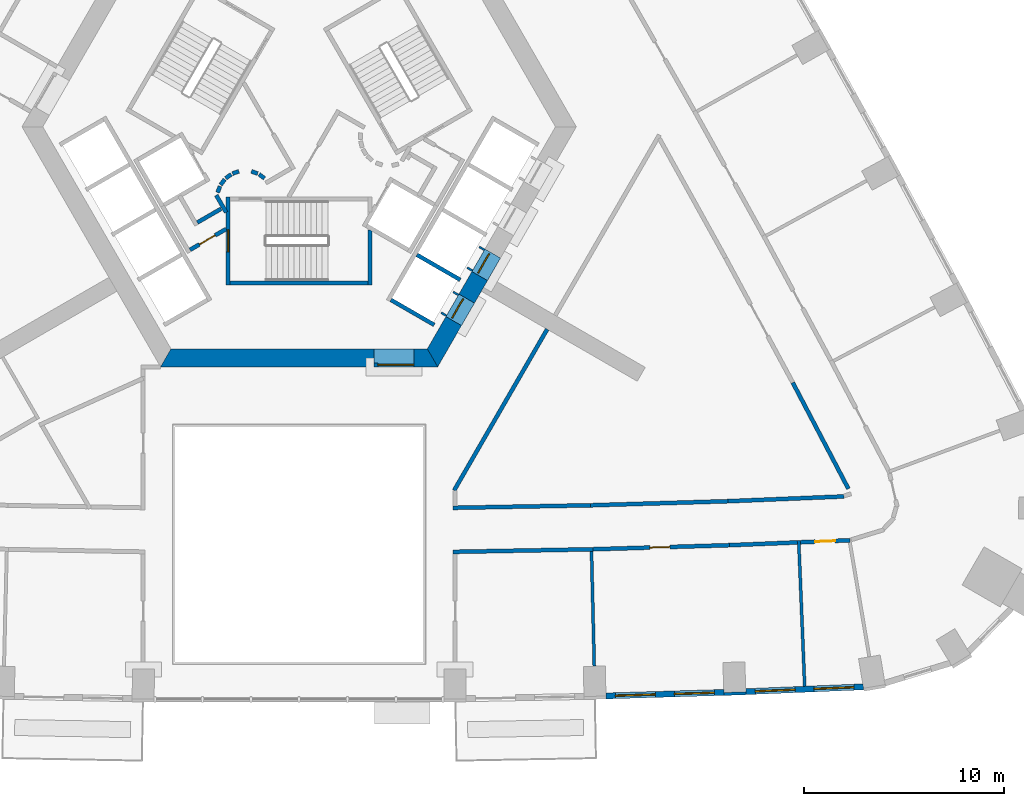
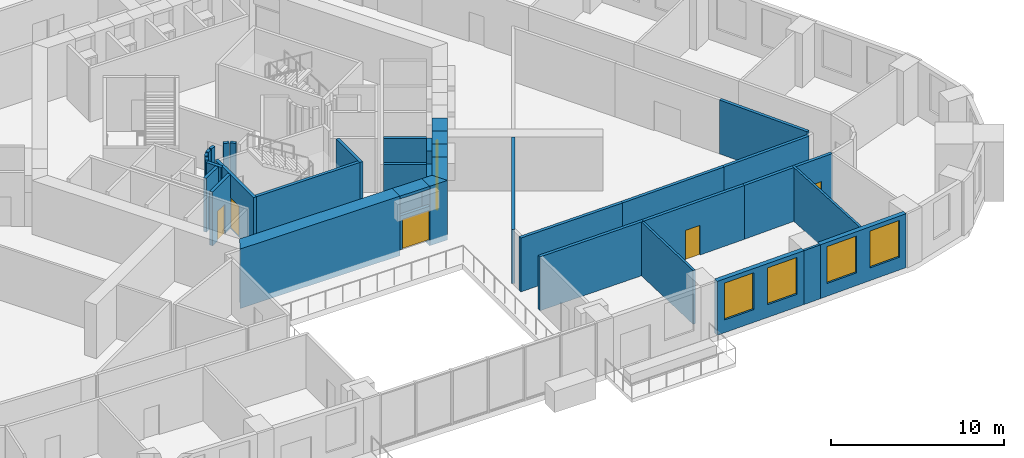
# One storey, part 6 of 13: 38 walls, 7 doors, 4 windows, 11 openings.
"""IFC4 building model written with IfcOpenShell, lengths in metres."""

from ifc_helpers import new_model, si_unit, direction, frame, frame_2d, origin, place, context, subcontext, project, spatial, polyline, rectangle, outline, extrude, material, layer, layer_set, type_object, element, fill, save


model = new_model("IFC4")

# Units and contexts
model_context = context("Model", 3, precision=1e-05, world=origin(), true_north=direction((0.0, 1.0)))
body_context = subcontext(model_context, "Body", "Model", "MODEL_VIEW")
ifc_project = project(units=[si_unit("LENGTHUNIT", "METRE"), si_unit("AREAUNIT", "SQUARE_METRE"), si_unit("VOLUMEUNIT", "CUBIC_METRE"), si_unit("PLANEANGLEUNIT", "RADIAN"), si_unit("MASSUNIT", "GRAM", prefix="KILO")], contexts=[model_context])

# Site, building, storey
site_placement = place(None, origin())
site = spatial("IfcSite", under=ifc_project, at=site_placement, CompositionType="ELEMENT")
building_placement = place(site_placement, origin())
building = spatial("IfcBuilding", under=site, at=building_placement, Name="Entoto Arch Interchange Tower", CompositionType="ELEMENT")
storey_placement = place(building_placement, frame((0.0, 0.0, 90.800048828125)))
storey = spatial("IfcBuildingStorey", under=building, at=storey_placement, Name="L19", CompositionType="ELEMENT", Elevation=90.800048828125)

# Wall, opening, door
ifc_material_1 = material(Name="Reinforced concrete C40/50", Category="concrete")
ifc_layer_1 = layer(ifc_material_1, 0.199951171875)
ifc_layer_set_1 = layer_set([ifc_layer_1], Name="Reinforced concrete C40/50")
wall_type_1 = type_object("IfcWallType", Name="CORE GAP INFILL WALL", PredefinedType="PARTITIONING", material=ifc_layer_set_1)
wall_1_placement = place(storey_placement, frame((3.75, -9.39990234375, 0.0), z_axis=(0.0, 0.0, 1.0), x_axis=(1.0, 0.0, 0.0)))
wall_1 = element("IfcWall", 1, at=wall_1_placement, inside=storey, type_object=wall_type_1, Name="wall:L19:gap1", PredefinedType="PARTITIONING", context=body_context, shape_type="SweptSolid", body=[
    extrude(rectangle(XDim=2.0, YDim=0.199951171875, at=frame_2d((1.0, 0.0))), origin(), (0.0, 0.0, 1.0), 2.39990234375),
])
opening_1_placement = place(wall_1_placement, frame((0.18994140625, 0.0, 0.0)))
opening_1 = element("IfcOpeningElement", 2, at=opening_1_placement, cuts=wall_1, Name="Opening L19-D91", PredefinedType="OPENING", context=body_context, shape_type="SweptSolid", body=[
    extrude(rectangle(XDim=1.800048828125, YDim=2.10009765625, at=frame_2d((0.89990234375, 1.050048828125))), frame((0.0, 0.10986328125, 0.0), z_axis=(0.0, -1.0, 0.0), x_axis=(1.0, 0.0, 0.0)), (0.0, 0.0, 1.0), 0.219970703125),
])
ifc_material_2 = material(Name="Fire-rated Steel S235 door and frame", Category="steel")
door_type_1 = type_object("IfcDoorType", Name="DOOR FD-18 1800x2100", OperationType="DOUBLE_DOOR_SINGLE_SWING", PredefinedType="DOOR", material=ifc_material_2)
door_1_placement = place(opening_1_placement, origin())
door_1 = element("IfcDoor", 3, at=door_1_placement, inside=storey, type_object=door_type_1, Name="door:L19:gap1", OperationType="DOUBLE_DOOR_SINGLE_SWING", OverallHeight=2.10009765625, OverallWidth=1.800048828125, PredefinedType="DOOR", context=body_context, shape_type="SweptSolid", body=[
    extrude(rectangle(XDim=1.800048828125, YDim=2.10009765625, at=frame_2d((0.89990234375, 1.050048828125))), frame((0.0, 0.02490234375, 0.0), z_axis=(0.0, -1.0, 0.0), x_axis=(1.0, 0.0, 0.0)), (0.0, 0.0, 1.0), 0.050048828125),
])
fill(opening_1, door_1)

# Walls
ifc_material_3 = material(Name="Concrete C60/75", Category="concrete")
ifc_layer_2 = layer(ifc_material_3, 0.89990234375)
ifc_layer_set_2 = layer_set([ifc_layer_2], Name="Concrete C60/75")
wall_type_2 = type_object("IfcWallType", Name="Core wall 900 C60/75", PredefinedType="SHEAR", material=ifc_layer_set_2)
wall_2_placement = place(storey_placement, frame((0.0, 0.0, -0.400146484375)))
element("IfcWall", 4, at=wall_2_placement, inside=storey, type_object=wall_type_2, Name="Core wall S L19", PredefinedType="SHEAR", context=body_context, shape_type="SweptSolid", body=[
    extrude(outline(polyline([(3.75, -9.5), (3.75, -8.60009765625), (-6.408935546875, -8.60009765625), (-6.927978515625, -9.5), (3.75, -9.5)])), origin(), (0.0, 0.0, 1.0), 4.2001953125),
])
wall_3_placement = place(storey_placement, frame((0.0, 0.0, -0.400146484375)))
element("IfcWall", 5, at=wall_3_placement, inside=storey, type_object=wall_type_2, Name="Core wall S L19", PredefinedType="SHEAR", context=body_context, shape_type="SweptSolid", body=[
    extrude(outline(polyline([(5.75, -8.60009765625), (5.75, -9.5), (6.927978515625, -9.5), (6.408935546875, -8.60009765625), (5.75, -8.60009765625)])), origin(), (0.0, 0.0, 1.0), 4.2001953125),
])
wall_4_placement = place(storey_placement, frame((0.0, 0.0, 3.599853515625)))
element("IfcWall", 6, at=wall_4_placement, inside=storey, type_object=wall_type_2, Name="Core wall lintel S L19", PredefinedType="SHEAR", context=body_context, shape_type="SweptSolid", body=[
    extrude(outline(polyline([(5.75, -9.5), (5.75, -8.60009765625), (3.75, -8.60009765625), (3.75, -9.5), (5.75, -9.5)])), origin(), (0.0, 0.0, 1.0), 0.2001953125),
])
wall_5_placement = place(storey_placement, frame((0.0, 0.0, -0.400146484375)))
element("IfcWall", 7, at=wall_5_placement, inside=storey, type_object=wall_type_2, Name="Core wall SE L19", PredefinedType="SHEAR", context=body_context, shape_type="SweptSolid", body=[
    extrude(outline(polyline([(8.116943359375, -7.43994140625), (7.337890625, -6.989990234375), (6.408935546875, -8.60009765625), (6.927978515625, -9.5), (8.116943359375, -7.43994140625)])), origin(), (0.0, 0.0, 1.0), 4.2001953125),
])
wall_6_placement = place(storey_placement, frame((0.0, 0.0, -0.400146484375)))
element("IfcWall", 8, at=wall_6_placement, inside=storey, type_object=wall_type_2, Name="Core wall SE L19", PredefinedType="SHEAR", context=body_context, shape_type="SweptSolid", body=[
    extrude(outline(polyline([(9.4169921875, -5.18896484375), (8.637939453125, -4.739013671875), (7.988037109375, -5.864013671875), (8.76708984375, -6.31396484375), (9.4169921875, -5.18896484375)])), origin(), (0.0, 0.0, 1.0), 4.2001953125),
])
wall_7_placement = place(storey_placement, frame((0.0, 0.0, 3.599853515625)))
element("IfcWall", 9, at=wall_7_placement, inside=storey, type_object=wall_type_2, Name="Core wall lintel SE L19", PredefinedType="SHEAR", context=body_context, shape_type="SweptSolid", body=[
    extrude(outline(polyline([(8.76708984375, -6.31396484375), (7.988037109375, -5.864013671875), (7.337890625, -6.989990234375), (8.116943359375, -7.43994140625), (8.76708984375, -6.31396484375)])), origin(), (0.0, 0.0, 1.0), 0.2001953125),
])
wall_8_placement = place(storey_placement, frame((0.0, 0.0, 3.599853515625)))
element("IfcWall", 10, at=wall_8_placement, inside=storey, type_object=wall_type_2, Name="Core wall lintel SE L19", PredefinedType="SHEAR", context=body_context, shape_type="SweptSolid", body=[
    extrude(outline(polyline([(10.06689453125, -4.06298828125), (9.2880859375, -3.613037109375), (8.637939453125, -4.739013671875), (9.4169921875, -5.18896484375), (10.06689453125, -4.06298828125)])), origin(), (0.0, 0.0, 1.0), 0.2001953125),
])

# Wall, opening, door
ifc_material_4 = material(Name="Concrete C40/50", Category="concrete")
ifc_layer_3 = layer(ifc_material_4, 1.199951171875)
ifc_layer_set_3 = layer_set([ifc_layer_3], Name="Concrete C40/50")
wall_type_3 = type_object("IfcWallType", Name="LIFT LANDING INFILL WALL", PredefinedType="STANDARD", material=ifc_layer_set_3)
wall_9_placement = place(storey_placement, frame((7.597900390625, -7.139892578125, 0.0), z_axis=(0.0, 0.0, 1.0), x_axis=(0.500362116554, 0.865816234728, 0.0)))
wall_9 = element("IfcWall", 11, at=wall_9_placement, inside=storey, type_object=wall_type_3, Name="Lift landing infill wall LR5 L19", PredefinedType="STANDARD", context=body_context, shape_type="SweptSolid", body=[
    extrude(rectangle(XDim=1.29931640625, YDim=1.199951171875, at=frame_2d((0.649658203125, 0.0))), origin(), (0.0, 0.0, 1.0), 2.39990234375),
])
opening_2_placement = place(wall_9_placement, frame((0.10009765625, 0.0, 0.0)))
opening_2 = element("IfcOpeningElement", 12, at=opening_2_placement, cuts=wall_9, Name="Opening LD-LR5-L19", PredefinedType="OPENING", context=body_context, shape_type="SweptSolid", body=[
    extrude(rectangle(XDim=1.10009765625, YDim=2.300048828125, at=frame_2d((0.550048828125, 1.14990234375))), frame((0.0, 0.60986328125, 0.0), z_axis=(0.0, -1.0, 0.0), x_axis=(1.0, 0.0, 0.0)), (0.0, 0.0, 1.0), 1.219970703125),
])
ifc_material_5 = material(Name="Stainless steel 1.4301 panels", Category="steel")
door_type_2 = type_object("IfcDoorType", Name="LIFT LANDING DOOR LD2 1100x2300", OperationType="SLIDING_TO_LEFT", PredefinedType="DOOR", material=ifc_material_5)
door_2_placement = place(opening_2_placement, origin())
door_2 = element("IfcDoor", 13, at=door_2_placement, inside=storey, type_object=door_type_2, Name="Lift landing door LR5 L19", OperationType="SLIDING_TO_LEFT", OverallHeight=2.300048828125, OverallWidth=1.10009765625, PredefinedType="DOOR", context=body_context, shape_type="SweptSolid", body=[
    extrude(rectangle(XDim=1.10009765625, YDim=2.300048828125, at=frame_2d((0.550048828125, 1.14990234375))), frame((0.0, 0.02490234375, 0.0), z_axis=(0.0, -1.0, 0.0), x_axis=(1.0, 0.0, 0.0)), (0.0, 0.0, 1.0), 0.050048828125),
])
fill(opening_2, door_2)

wall_10_placement = place(storey_placement, frame((8.89794921875, -4.888916015625, 0.0), z_axis=(0.0, 0.0, 1.0), x_axis=(0.500036693733, 0.866004217611, 0.0)))
wall_10 = element("IfcWall", 14, at=wall_10_placement, inside=storey, type_object=wall_type_3, Name="Lift landing infill wall LR6 L19", PredefinedType="STANDARD", context=body_context, shape_type="SweptSolid", body=[
    extrude(rectangle(XDim=1.30029296875, YDim=1.199951171875, at=frame_2d((0.650146484375, 0.0))), origin(), (0.0, 0.0, 1.0), 2.39990234375),
])
opening_3_placement = place(wall_10_placement, frame((0.10009765625, 0.0, 0.0)))
opening_3 = element("IfcOpeningElement", 15, at=opening_3_placement, cuts=wall_10, Name="Opening LD-LR6-L19", PredefinedType="OPENING", context=body_context, shape_type="SweptSolid", body=[
    extrude(rectangle(XDim=1.10009765625, YDim=2.300048828125, at=frame_2d((0.550048828125, 1.14990234375))), frame((0.0, 0.60986328125, 0.0), z_axis=(0.0, -1.0, 0.0), x_axis=(1.0, 0.0, 0.0)), (0.0, 0.0, 1.0), 1.219970703125),
])
door_3_placement = place(opening_3_placement, origin())
door_3 = element("IfcDoor", 16, at=door_3_placement, inside=storey, type_object=door_type_2, Name="Lift landing door LR6 L19", OperationType="SLIDING_TO_LEFT", OverallHeight=2.300048828125, OverallWidth=1.10009765625, PredefinedType="DOOR", context=body_context, shape_type="SweptSolid", body=[
    extrude(rectangle(XDim=1.10009765625, YDim=2.300048828125, at=frame_2d((0.550048828125, 1.14990234375))), frame((0.0, 0.02490234375, 0.0), z_axis=(0.0, -1.0, 0.0), x_axis=(1.0, 0.0, 0.0)), (0.0, 0.0, 1.0), 0.050048828125),
])
fill(opening_3, door_3)

# Walls
ifc_layer_4 = layer(ifc_material_4, 0.199951171875)
ifc_layer_set_4 = layer_set([ifc_layer_4], Name="Concrete C40/50")
wall_type_4 = type_object("IfcWallType", Name="LIFT SHAFT WALL 200", PredefinedType="STANDARD", material=ifc_layer_set_4)
for number, where, z_axis, x_axis, name in (
    (17, (4.587890625, -6.153076171875, 0.0), (0.0, 0.0, 1.0), (0.866022959057, -0.500004234368, 0.0), "Shaft wall SE3 cross 1"),
    (18, (5.887939453125, -3.902099609375, 0.0), (0.0, 0.0, 1.0), (0.866022959057, -0.500004234368, 0.0), "Shaft wall SE3 cross 2"),
):
    element("IfcWall", number, at=place(storey_placement, frame(where, z_axis=z_axis, x_axis=x_axis)), inside=storey, type_object=wall_type_4, Name=name, PredefinedType="STANDARD", context=body_context, shape_type="SweptSolid", body=[
        extrude(rectangle(XDim=2.5, YDim=0.199951171875, at=frame_2d((1.25, 0.0))), origin(), (0.0, 0.0, 1.0), 3.800048828125),
    ])
ifc_material_6 = material(Name="Gypsum board partition on steel studs", Category="steel")
ifc_layer_5 = layer(ifc_material_6, 0.14990234375)
ifc_layer_set_5 = layer_set([ifc_layer_5], Name="Gypsum board partition on steel studs")
wall_type_5 = type_object("IfcWallType", Name="PARTITION 150", PredefinedType="PARTITIONING", material=ifc_layer_set_5)
wall_11_placement = place(storey_placement, frame((14.616943359375, -18.72412109375, 0.0), z_axis=(0.0, 0.0, 1.0), x_axis=(0.02407553942, -0.999710142192, 0.0)))
element("IfcWall", 19, at=wall_11_placement, inside=storey, type_object=wall_type_5, Name="wall:L19:p111", PredefinedType="PARTITIONING", context=body_context, shape_type="SweptSolid", body=[
    extrude(rectangle(XDim=5.7294921875, YDim=0.14990234375, at=frame_2d((2.86474609375, 0.0))), origin(), (0.0, 0.0, 1.0), 3.800048828125),
])
wall_12_placement = place(storey_placement, frame((24.97509765625, -18.177001953125, 0.0), z_axis=(0.0, 0.0, 1.0), x_axis=(0.040934999913, -0.999161811611, 0.0)))
element("IfcWall", 20, at=wall_12_placement, inside=storey, type_object=wall_type_5, Name="wall:L19:p112", PredefinedType="PARTITIONING", context=body_context, shape_type="SweptSolid", body=[
    extrude(rectangle(XDim=7.300048828125, YDim=0.14990234375, at=frame_2d((3.64990234375, 0.0))), origin(), (0.0, 0.0, 1.0), 3.800048828125),
])
ifc_layer_6 = layer(ifc_material_6, 0.199951171875)
ifc_layer_set_6 = layer_set([ifc_layer_6], Name="Gypsum board partition on steel studs")
wall_type_6 = type_object("IfcWallType", Name="PARTITION 200", PredefinedType="PARTITIONING", material=ifc_layer_set_6)
wall_13_placement = place(storey_placement, frame((7.699951171875, -16.551025390625, 0.0), z_axis=(0.0, 0.0, 1.0), x_axis=(0.999831478914, 0.018357934851, 0.0)))
element("IfcWall", 21, at=wall_13_placement, inside=storey, type_object=wall_type_6, Name="wall:L19:p012", PredefinedType="PARTITIONING", context=body_context, shape_type="SweptSolid", body=[
    extrude(rectangle(XDim=6.8623046875, YDim=0.199951171875, at=frame_2d((3.43115234375, 0.0))), origin(), (0.0, 0.0, 1.0), 3.800048828125),
])
wall_14_placement = place(storey_placement, frame((14.56103515625, -16.425048828125, 0.0), z_axis=(0.0, 0.0, 1.0), x_axis=(0.99955668677, 0.029772973188, 0.0)))
element("IfcWall", 22, at=wall_14_placement, inside=storey, type_object=wall_type_6, Name="wall:L19:p013", PredefinedType="PARTITIONING", context=body_context, shape_type="SweptSolid", body=[
    extrude(rectangle(XDim=6.88818359375, YDim=0.199951171875, at=frame_2d((3.444091796875, 0.0))), origin(), (0.0, 0.0, 1.0), 3.800048828125),
])
wall_15_placement = place(storey_placement, frame((21.446044921875, -16.219970703125, 0.0), z_axis=(0.0, 0.0, 1.0), x_axis=(0.999157128819, 0.041049140426, 0.0)))
element("IfcWall", 23, at=wall_15_placement, inside=storey, type_object=wall_type_6, Name="wall:L19:p014", PredefinedType="PARTITIONING", context=body_context, shape_type="SweptSolid", body=[
    extrude(rectangle(XDim=5.798828125, YDim=0.199951171875, at=frame_2d((2.8994140625, 0.0))), origin(), (0.0, 0.0, 1.0), 3.800048828125),
])
wall_16_placement = place(storey_placement, frame((27.4609375, -15.60009765625, 0.0), z_axis=(0.0, 0.0, 1.0), x_axis=(-0.464203280494, 0.885728691179, 0.0)))
element("IfcWall", 24, at=wall_16_placement, inside=storey, type_object=wall_type_6, Name="wall:L19:p016", PredefinedType="PARTITIONING", context=body_context, shape_type="SweptSolid", body=[
    extrude(rectangle(XDim=5.9951171875, YDim=0.199951171875, at=frame_2d((2.99755859375, 0.0))), origin(), (0.0, 0.0, 1.0), 3.800048828125),
])
wall_17_placement = place(storey_placement, frame((14.68896484375, -18.623046875, 0.0), z_axis=(0.0, 0.0, 1.0), x_axis=(-0.99982995049, -0.01844098976, 0.0)))
element("IfcWall", 25, at=wall_17_placement, inside=storey, type_object=wall_type_6, Name="wall:L19:p031", PredefinedType="PARTITIONING", context=body_context, shape_type="SweptSolid", body=[
    extrude(rectangle(XDim=6.990234375, YDim=0.199951171875, at=frame_2d((3.4951171875, 0.0))), origin(), (0.0, 0.0, 1.0), 3.800048828125),
])
wall_18_placement = place(storey_placement, frame((24.904052734375, -18.280029296875, 0.0), z_axis=(0.0, 0.0, 1.0), x_axis=(-0.999156550882, -0.041063205305, 0.0)))
element("IfcWall", 26, at=wall_18_placement, inside=storey, type_object=wall_type_6, Name="wall:L19:p032", PredefinedType="PARTITIONING", context=body_context, shape_type="SweptSolid", body=[
    extrude(rectangle(XDim=3.383056640625, YDim=0.199951171875, at=frame_2d((1.69140625, 0.0))), origin(), (0.0, 0.0, 1.0), 3.800048828125),
])

# Wall, opening, door
wall_19_placement = place(storey_placement, frame((21.52392578125, -18.4189453125, 0.0), z_axis=(0.0, 0.0, 1.0), x_axis=(-0.999558696746, -0.029705416334, 0.0)))
wall_19 = element("IfcWall", 27, at=wall_19_placement, inside=storey, type_object=wall_type_6, Name="wall:L19:p033", PredefinedType="PARTITIONING", context=body_context, shape_type="SweptSolid", body=[
    extrude(rectangle(XDim=6.837890625, YDim=0.199951171875, at=frame_2d((3.4189453125, 0.0))), origin(), (0.0, 0.0, 1.0), 3.800048828125),
])
opening_4_placement = place(wall_19_placement, frame((2.993896484375, 0.0, 0.0)))
opening_4 = element("IfcOpeningElement", 28, at=opening_4_placement, cuts=wall_19, Name="Opening L19-D02", PredefinedType="OPENING", context=body_context, shape_type="SweptSolid", body=[
    extrude(rectangle(XDim=1.0, YDim=2.10009765625, at=frame_2d((0.5, 1.050048828125))), frame((0.0, 0.10986328125, 0.0), z_axis=(0.0, -1.0, 0.0), x_axis=(1.0, 0.0, 0.0)), (0.0, 0.0, 1.0), 0.219970703125),
])
ifc_material_7 = material(Name="Timber door leaf in Steel S235 frame", Category="steel")
door_type_3 = type_object("IfcDoorType", Name="DOOR DS-10 1000x2100", OperationType="SINGLE_SWING_LEFT", PredefinedType="DOOR", material=ifc_material_7)
door_4_placement = place(opening_4_placement, origin())
door_4 = element("IfcDoor", 29, at=door_4_placement, inside=storey, type_object=door_type_3, Name="door:L19:02", OperationType="SINGLE_SWING_LEFT", OverallHeight=2.10009765625, OverallWidth=1.0, PredefinedType="DOOR", context=body_context, shape_type="SweptSolid", body=[
    extrude(rectangle(XDim=1.0, YDim=2.10009765625, at=frame_2d((0.5, 1.050048828125))), frame((0.0, 0.02490234375, 0.0), z_axis=(0.0, -1.0, 0.0), x_axis=(1.0, 0.0, 0.0)), (0.0, 0.0, 1.0), 0.050048828125),
])
fill(opening_4, door_4)

wall_20_placement = place(storey_placement, frame((27.5380859375, -18.172119140625, 0.0), z_axis=(0.0, 0.0, 1.0), x_axis=(-0.999161261417, -0.040948427126, 0.0)))
wall_20 = element("IfcWall", 30, at=wall_20_placement, inside=storey, type_object=wall_type_6, Name="wall:L19:p034", PredefinedType="PARTITIONING", context=body_context, shape_type="SweptSolid", body=[
    extrude(rectangle(XDim=2.486328125, YDim=0.199951171875, at=frame_2d((1.2431640625, 0.0))), origin(), (0.0, 0.0, 1.0), 3.800048828125),
])
opening_5_placement = place(wall_20_placement, frame((0.742919921875, 0.0, 0.0)))
opening_5 = element("IfcOpeningElement", 31, at=opening_5_placement, cuts=wall_20, Name="Opening L19-D03", PredefinedType="OPENING", context=body_context, shape_type="SweptSolid", body=[
    extrude(rectangle(XDim=1.0, YDim=2.10009765625, at=frame_2d((0.5, 1.050048828125))), frame((0.0, 0.10986328125, 0.0), z_axis=(0.0, -1.0, 0.0), x_axis=(1.0, 0.0, 0.0)), (0.0, 0.0, 1.0), 0.219970703125),
])
door_5_placement = place(opening_5_placement, origin())
door_5 = element("IfcDoor", 32, at=door_5_placement, inside=storey, type_object=door_type_3, Name="door:L19:03", OperationType="SINGLE_SWING_LEFT", OverallHeight=2.10009765625, OverallWidth=1.0, PredefinedType="DOOR", context=body_context, shape_type="SweptSolid", body=[
    extrude(rectangle(XDim=1.0, YDim=2.10009765625, at=frame_2d((0.5, 1.050048828125))), frame((0.0, 0.02490234375, 0.0), z_axis=(0.0, -1.0, 0.0), x_axis=(1.0, 0.0, 0.0)), (0.0, 0.0, 1.0), 0.050048828125),
])
fill(opening_5, door_5)

# Wall
wall_21_placement = place(storey_placement, frame((-3.89990234375, -1.59912109375, 0.0), z_axis=(0.0, 0.0, 1.0), x_axis=(-0.865969445389, -0.500096910261, 0.0)))
element("IfcWall", 33, at=wall_21_placement, inside=storey, type_object=wall_type_6, Name="wall:L19:p072", PredefinedType="PARTITIONING", context=body_context, shape_type="SweptSolid", body=[
    extrude(rectangle(XDim=1.373291015625, YDim=0.199951171875, at=frame_2d((0.6865234375, 0.0))), origin(), (0.0, 0.0, 1.0), 3.800048828125),
])

# Wall, opening, door
wall_22_placement = place(storey_placement, frame((-3.64990234375, -2.610107421875, 0.0), z_axis=(0.0, 0.0, 1.0), x_axis=(-0.866072462134, -0.499918483688, 0.0)))
wall_22 = element("IfcWall", 34, at=wall_22_placement, inside=storey, type_object=wall_type_6, Name="wall:L19:p074", PredefinedType="PARTITIONING", context=body_context, shape_type="SweptSolid", body=[
    extrude(rectangle(XDim=2.084228515625, YDim=0.199951171875, at=frame_2d((1.0419921875, 0.0))), origin(), (0.0, 0.0, 1.0), 3.800048828125),
])
opening_6_placement = place(wall_22_placement, frame((0.64208984375, 0.0, 0.0)))
opening_6 = element("IfcOpeningElement", 35, at=opening_6_placement, cuts=wall_22, Name="Opening L19-D35", PredefinedType="OPENING", context=body_context, shape_type="SweptSolid", body=[
    extrude(rectangle(XDim=0.89990234375, YDim=2.10009765625, at=frame_2d((0.449951171875, 1.050048828125))), frame((0.0, 0.10986328125, 0.0), z_axis=(0.0, -1.0, 0.0), x_axis=(1.0, 0.0, 0.0)), (0.0, 0.0, 1.0), 0.219970703125),
])
door_type_4 = type_object("IfcDoorType", Name="DOOR DS-09 900x2100", OperationType="SINGLE_SWING_LEFT", PredefinedType="DOOR", material=ifc_material_7)
door_6_placement = place(opening_6_placement, origin())
door_6 = element("IfcDoor", 36, at=door_6_placement, inside=storey, type_object=door_type_4, Name="door:L19:35", OperationType="SINGLE_SWING_LEFT", OverallHeight=2.10009765625, OverallWidth=0.89990234375, PredefinedType="DOOR", context=body_context, shape_type="SweptSolid", body=[
    extrude(rectangle(XDim=0.89990234375, YDim=2.10009765625, at=frame_2d((0.449951171875, 1.050048828125))), frame((0.0, 0.02490234375, 0.0), z_axis=(0.0, -1.0, 0.0), x_axis=(1.0, 0.0, 0.0)), (0.0, 0.0, 1.0), 0.050048828125),
])
fill(opening_6, door_6)

# Walls
wall_23_placement = place(storey_placement, frame((-4.14501953125, -0.919921875, 0.0), z_axis=(0.0, 0.0, 1.0), x_axis=(0.499743786207, -0.866173278362, 0.0)))
element("IfcWall", 37, at=wall_23_placement, inside=storey, type_object=wall_type_6, Name="wall:L19:p076", PredefinedType="PARTITIONING", context=body_context, shape_type="SweptSolid", body=[
    extrude(rectangle(XDim=0.99072265625, YDim=0.199951171875, at=frame_2d((0.495361328125, 0.0))), origin(), (0.0, 0.0, 1.0), 3.800048828125),
])
wall_24_placement = place(storey_placement, frame((-1.73095703125, -0.076904296875, 0.0), z_axis=(0.0, 0.0, 1.0), x_axis=(-0.804311165252, 0.594208338422, 0.0)))
element("IfcWall", 38, at=wall_24_placement, inside=storey, type_object=wall_type_6, Name="wall:L19:p087", PredefinedType="PARTITIONING", context=body_context, shape_type="SweptSolid", body=[
    extrude(rectangle(XDim=0.338134765625, YDim=0.199951171875, at=frame_2d((0.1689453125, 0.0))), origin(), (0.0, 0.0, 1.0), 3.800048828125),
])
wall_25_placement = place(storey_placement, frame((-2.070068359375, 0.159912109375, 0.0), z_axis=(0.0, 0.0, 1.0), x_axis=(-0.942199461132, 0.335052496547, 0.0)))
element("IfcWall", 39, at=wall_25_placement, inside=storey, type_object=wall_type_6, Name="wall:L19:p088", PredefinedType="PARTITIONING", context=body_context, shape_type="SweptSolid", body=[
    extrude(rectangle(XDim=0.33740234375, YDim=0.199951171875, at=frame_2d((0.168701171875, 0.0))), origin(), (0.0, 0.0, 1.0), 3.800048828125),
])
wall_26_placement = place(storey_placement, frame((-3.011962890625, 0.27294921875, 0.0), z_axis=(0.0, 0.0, 1.0), x_axis=(-0.942280615813, -0.334824194261, 0.0)))
element("IfcWall", 40, at=wall_26_placement, inside=storey, type_object=wall_type_6, Name="wall:L19:p089", PredefinedType="PARTITIONING", context=body_context, shape_type="SweptSolid", body=[
    extrude(rectangle(XDim=0.337646484375, YDim=0.199951171875, at=frame_2d((0.1689453125, 0.0))), origin(), (0.0, 0.0, 1.0), 3.800048828125),
])
wall_27_placement = place(storey_placement, frame((-3.39697265625, 0.1240234375, 0.0), z_axis=(0.0, 0.0, 1.0), x_axis=(-0.804311165252, -0.594208338422, 0.0)))
element("IfcWall", 41, at=wall_27_placement, inside=storey, type_object=wall_type_6, Name="wall:L19:p090", PredefinedType="PARTITIONING", context=body_context, shape_type="SweptSolid", body=[
    extrude(rectangle(XDim=0.338134765625, YDim=0.199951171875, at=frame_2d((0.1689453125, 0.0))), origin(), (0.0, 0.0, 1.0), 3.800048828125),
])
wall_28_placement = place(storey_placement, frame((-3.722900390625, -0.131103515625, 0.0), z_axis=(0.0, 0.0, 1.0), x_axis=(-0.594675113454, -0.803966112121, 0.0)))
element("IfcWall", 42, at=wall_28_placement, inside=storey, type_object=wall_type_6, Name="wall:L19:p091", PredefinedType="PARTITIONING", context=body_context, shape_type="SweptSolid", body=[
    extrude(rectangle(XDim=0.33837890625, YDim=0.199951171875, at=frame_2d((0.169189453125, 0.0))), origin(), (0.0, 0.0, 1.0), 3.800048828125),
])
wall_29_placement = place(storey_placement, frame((-3.9599609375, -0.469970703125, 0.0), z_axis=(0.0, 0.0, 1.0), x_axis=(-0.334824194261, -0.942280615813, 0.0)))
element("IfcWall", 43, at=wall_29_placement, inside=storey, type_object=wall_type_6, Name="wall:L19:p092", PredefinedType="PARTITIONING", context=body_context, shape_type="SweptSolid", body=[
    extrude(rectangle(XDim=0.337646484375, YDim=0.199951171875, at=frame_2d((0.1689453125, 0.0))), origin(), (0.0, 0.0, 1.0), 3.800048828125),
])
wall_30_placement = place(storey_placement, frame((12.40087890625, -7.62109375, 0.0), z_axis=(0.0, 0.0, 1.0), x_axis=(-0.499983724212, -0.866034800411, 0.0)))
element("IfcWall", 44, at=wall_30_placement, inside=storey, type_object=wall_type_6, Name="wall:L19:p102", PredefinedType="PARTITIONING", context=body_context, shape_type="SweptSolid", body=[
    extrude(rectangle(XDim=9.302001953125, YDim=0.199951171875, at=frame_2d((4.65087890625, 0.0))), origin(), (0.0, 0.0, 1.0), 3.800048828125),
])

# Wall, opening, door
ifc_layer_7 = layer(ifc_material_4, 0.199951171875)
ifc_layer_set_7 = layer_set([ifc_layer_7], Name="Concrete C40/50")
wall_type_7 = type_object("IfcWallType", Name="STAIR ENCLOSURE WALL 200", PredefinedType="STANDARD", material=ifc_layer_set_7)
wall_31_placement = place(storey_placement, frame((-3.550048828125, -1.0, 0.0), z_axis=(0.0, 0.0, 1.0), x_axis=(0.0, -1.0, 0.0)))
wall_31 = element("IfcWall", 45, at=wall_31_placement, inside=storey, type_object=wall_type_7, Name="Stair wall ST-S near", PredefinedType="STANDARD", context=body_context, shape_type="SweptSolid", body=[
    extrude(rectangle(XDim=4.39990234375, YDim=0.199951171875, at=frame_2d((2.199951171875, 0.0))), origin(), (0.0, 0.0, 1.0), 3.800048828125),
])
opening_7_placement = place(wall_31_placement, frame((1.64990234375, 0.0, 0.0)))
opening_7 = element("IfcOpeningElement", 46, at=opening_7_placement, cuts=wall_31, Name="Opening SD-ST-S-L19-E", PredefinedType="OPENING", context=body_context, shape_type="SweptSolid", body=[
    extrude(rectangle(XDim=1.10009765625, YDim=2.199951171875, at=frame_2d((0.550048828125, 1.10009765625))), frame((0.0, 0.10986328125, 0.0), z_axis=(0.0, -1.0, 0.0), x_axis=(1.0, 0.0, 0.0)), (0.0, 0.0, 1.0), 0.219970703125),
])
ifc_material_8 = material(Name="Steel S235", Category="steel")
door_type_5 = type_object("IfcDoorType", Name="STAIR DOOR SD1 1100x2200", OperationType="SINGLE_SWING_LEFT", PredefinedType="DOOR", material=ifc_material_8)
door_7_placement = place(opening_7_placement, origin())
door_7 = element("IfcDoor", 47, at=door_7_placement, inside=storey, type_object=door_type_5, Name="Stair door ST-S L19 end", OperationType="SINGLE_SWING_LEFT", OverallHeight=2.199951171875, OverallWidth=1.10009765625, PredefinedType="DOOR", context=body_context, shape_type="SweptSolid", body=[
    extrude(rectangle(XDim=1.10009765625, YDim=2.199951171875, at=frame_2d((0.550048828125, 1.10009765625))), frame((0.0, 0.02490234375, 0.0), z_axis=(0.0, -1.0, 0.0), x_axis=(1.0, 0.0, 0.0)), (0.0, 0.0, 1.0), 0.050048828125),
])
fill(opening_7, door_7)

# Walls
wall_32_placement = place(storey_placement, frame((3.550048828125, -2.6669921875, 0.0), z_axis=(0.0, 0.0, 1.0), x_axis=(0.0, -1.0, 0.0)))
element("IfcWall", 48, at=wall_32_placement, inside=storey, type_object=wall_type_7, Name="Stair wall ST-S far", PredefinedType="STANDARD", context=body_context, shape_type="SweptSolid", body=[
    extrude(rectangle(XDim=2.73291015625, YDim=0.199951171875, at=frame_2d((1.366455078125, 0.0))), origin(), (0.0, 0.0, 1.0), 3.800048828125),
])
wall_33_placement = place(storey_placement, frame((-3.449951171875, -5.300048828125, 0.0), z_axis=(0.0, 0.0, 1.0), x_axis=(1.0, 0.0, 0.0)))
element("IfcWall", 49, at=wall_33_placement, inside=storey, type_object=wall_type_7, Name="Stair wall ST-S back", PredefinedType="STANDARD", context=body_context, shape_type="SweptSolid", body=[
    extrude(rectangle(XDim=6.89990234375, YDim=0.199951171875, at=frame_2d((3.449951171875, 0.0))), origin(), (0.0, 0.0, 1.0), 3.800048828125),
])

# Wall, openings, windows
ifc_material_9 = material(Name="Welded tuff (ignimbrite) cladding, warm buff", Category="masonry")
ifc_layer_8 = layer(ifc_material_9, 0.300048828125)
ifc_layer_set_8 = layer_set([ifc_layer_8], Name="Welded tuff (ignimbrite) cladding, warm buff")
wall_type_8 = type_object("IfcWallType", Name="STONE INFILL WALL 300", PredefinedType="STANDARD", material=ifc_layer_set_8)
wall_34_placement = place(storey_placement, frame((15.340087890625, -25.9560546875, 0.0), z_axis=(0.0, 0.0, 1.0), x_axis=(0.999554487555, 0.029846715213, 0.0)))
wall_34 = element("IfcWall", 50, at=wall_34_placement, inside=storey, type_object=wall_type_8, Name="Facade wall S-06 L19", PredefinedType="STANDARD", context=body_context, shape_type="SweptSolid", body=[
    extrude(rectangle(XDim=5.897705078125, YDim=0.300048828125, at=frame_2d((2.94873046875, 0.0))), origin(), (0.0, 0.0, 1.0), 3.800048828125),
])
opening_8_placement = place(wall_34_placement, frame((0.47412109375, 0.0, 0.89990234375)))
opening_8 = element("IfcOpeningElement", 51, at=opening_8_placement, cuts=wall_34, Name="Opening WO-C", PredefinedType="OPENING", context=body_context, shape_type="SweptSolid", body=[
    extrude(rectangle(XDim=2.0, YDim=2.60009765625, at=frame_2d((1.0, 1.300048828125))), frame((0.0, 0.16015625, 0.0), z_axis=(0.0, -1.0, 0.0), x_axis=(1.0, 0.0, 0.0)), (0.0, 0.0, 1.0), 0.320068359375),
])
opening_9_placement = place(wall_34_placement, frame((3.423095703125, 0.0, 0.89990234375)))
opening_9 = element("IfcOpeningElement", 52, at=opening_9_placement, cuts=wall_34, Name="Opening WO-C", PredefinedType="OPENING", context=body_context, shape_type="SweptSolid", body=[
    extrude(rectangle(XDim=2.0, YDim=2.60009765625, at=frame_2d((1.0, 1.300048828125))), frame((0.0, 0.16015625, 0.0), z_axis=(0.0, -1.0, 0.0), x_axis=(1.0, 0.0, 0.0)), (0.0, 0.0, 1.0), 0.320068359375),
])
ifc_material_10 = material(Name="Clear glass, low-e double glazed", Category="glass")
window_type = type_object("IfcWindowType", Name="WINDOW WO-C 2000x2600", PartitioningType="DOUBLE_PANEL_VERTICAL", PredefinedType="WINDOW", material=ifc_material_10)
window_1_placement = place(opening_8_placement, origin())
window_1 = element("IfcWindow", 53, at=window_1_placement, inside=storey, type_object=window_type, Name="Window WO-C S-06 L19", OverallHeight=2.60009765625, OverallWidth=2.0, PartitioningType="SINGLE_PANEL", PredefinedType="WINDOW", context=body_context, shape_type="SweptSolid", body=[
    extrude(rectangle(XDim=2.0, YDim=2.60009765625, at=frame_2d((1.0, 1.300048828125))), frame((0.0, 0.030029296875, 0.0), z_axis=(0.0, -1.0, 0.0), x_axis=(1.0, 0.0, 0.0)), (0.0, 0.0, 1.0), 0.06005859375),
])
fill(opening_8, window_1)
window_2_placement = place(opening_9_placement, origin())
window_2 = element("IfcWindow", 54, at=window_2_placement, inside=storey, type_object=window_type, Name="Window WO-C S-06 L19", OverallHeight=2.60009765625, OverallWidth=2.0, PartitioningType="SINGLE_PANEL", PredefinedType="WINDOW", context=body_context, shape_type="SweptSolid", body=[
    extrude(rectangle(XDim=2.0, YDim=2.60009765625, at=frame_2d((1.0, 1.300048828125))), frame((0.0, 0.030029296875, 0.0), z_axis=(0.0, -1.0, 0.0), x_axis=(1.0, 0.0, 0.0)), (0.0, 0.0, 1.0), 0.06005859375),
])
fill(opening_9, window_2)

wall_35_placement = place(storey_placement, frame((22.33203125, -25.741943359375, 0.0), z_axis=(0.0, 0.0, 1.0), x_axis=(0.999159360905, 0.040994774244, 0.0)))
wall_35 = element("IfcWall", 55, at=wall_35_placement, inside=storey, type_object=wall_type_8, Name="Facade wall S-07 L19", PredefinedType="STANDARD", context=body_context, shape_type="SweptSolid", body=[
    extrude(rectangle(XDim=5.8779296875, YDim=0.300048828125, at=frame_2d((2.93896484375, 0.0))), origin(), (0.0, 0.0, 1.0), 3.800048828125),
])
opening_10_placement = place(wall_35_placement, frame((0.468994140625, 0.0, 0.89990234375)))
opening_10 = element("IfcOpeningElement", 56, at=opening_10_placement, cuts=wall_35, Name="Opening WO-C", PredefinedType="OPENING", context=body_context, shape_type="SweptSolid", body=[
    extrude(rectangle(XDim=2.0, YDim=2.60009765625, at=frame_2d((1.0, 1.300048828125))), frame((0.0, 0.16015625, 0.0), z_axis=(0.0, -1.0, 0.0), x_axis=(1.0, 0.0, 0.0)), (0.0, 0.0, 1.0), 0.320068359375),
])
opening_11_placement = place(wall_35_placement, frame((3.407958984375, 0.0, 0.89990234375)))
opening_11 = element("IfcOpeningElement", 57, at=opening_11_placement, cuts=wall_35, Name="Opening WO-C", PredefinedType="OPENING", context=body_context, shape_type="SweptSolid", body=[
    extrude(rectangle(XDim=2.0, YDim=2.60009765625, at=frame_2d((1.0, 1.300048828125))), frame((0.0, 0.16015625, 0.0), z_axis=(0.0, -1.0, 0.0), x_axis=(1.0, 0.0, 0.0)), (0.0, 0.0, 1.0), 0.320068359375),
])
window_3_placement = place(opening_10_placement, origin())
window_3 = element("IfcWindow", 58, at=window_3_placement, inside=storey, type_object=window_type, Name="Window WO-C S-07 L19", OverallHeight=2.60009765625, OverallWidth=2.0, PartitioningType="SINGLE_PANEL", PredefinedType="WINDOW", context=body_context, shape_type="SweptSolid", body=[
    extrude(rectangle(XDim=2.0, YDim=2.60009765625, at=frame_2d((1.0, 1.300048828125))), frame((0.0, 0.030029296875, 0.0), z_axis=(0.0, -1.0, 0.0), x_axis=(1.0, 0.0, 0.0)), (0.0, 0.0, 1.0), 0.06005859375),
])
fill(opening_10, window_3)
window_4_placement = place(opening_11_placement, origin())
window_4 = element("IfcWindow", 59, at=window_4_placement, inside=storey, type_object=window_type, Name="Window WO-C S-07 L19", OverallHeight=2.60009765625, OverallWidth=2.0, PartitioningType="SINGLE_PANEL", PredefinedType="WINDOW", context=body_context, shape_type="SweptSolid", body=[
    extrude(rectangle(XDim=2.0, YDim=2.60009765625, at=frame_2d((1.0, 1.300048828125))), frame((0.0, 0.030029296875, 0.0), z_axis=(0.0, -1.0, 0.0), x_axis=(1.0, 0.0, 0.0)), (0.0, 0.0, 1.0), 0.06005859375),
])
fill(opening_11, window_4)

# Wall
ifc_layer_9 = layer(ifc_material_9, 0.14990234375)
ifc_layer_set_9 = layer_set([ifc_layer_9], Name="Welded tuff (ignimbrite) cladding, warm buff")
wall_type_9 = type_object("IfcWallType", Name="STONE PIER CLADDING 150", PredefinedType="STANDARD", material=ifc_layer_set_9)
wall_36_placement = place(storey_placement, frame((21.237060546875, -25.85888671875, 0.0), z_axis=(0.0, 0.0, 1.0), x_axis=(0.999376638472, 0.035303462679, 0.0)))
element("IfcWall", 60, at=wall_36_placement, inside=storey, type_object=wall_type_9, Name="Stone pier S07 L19", PredefinedType="STANDARD", context=body_context, shape_type="SweptSolid", body=[
    extrude(rectangle(XDim=1.099609375, YDim=0.14990234375, at=frame_2d((0.5498046875, 0.0))), origin(), (0.0, 0.0, 1.0), 3.800048828125),
])

save(model, "model.ifc")
